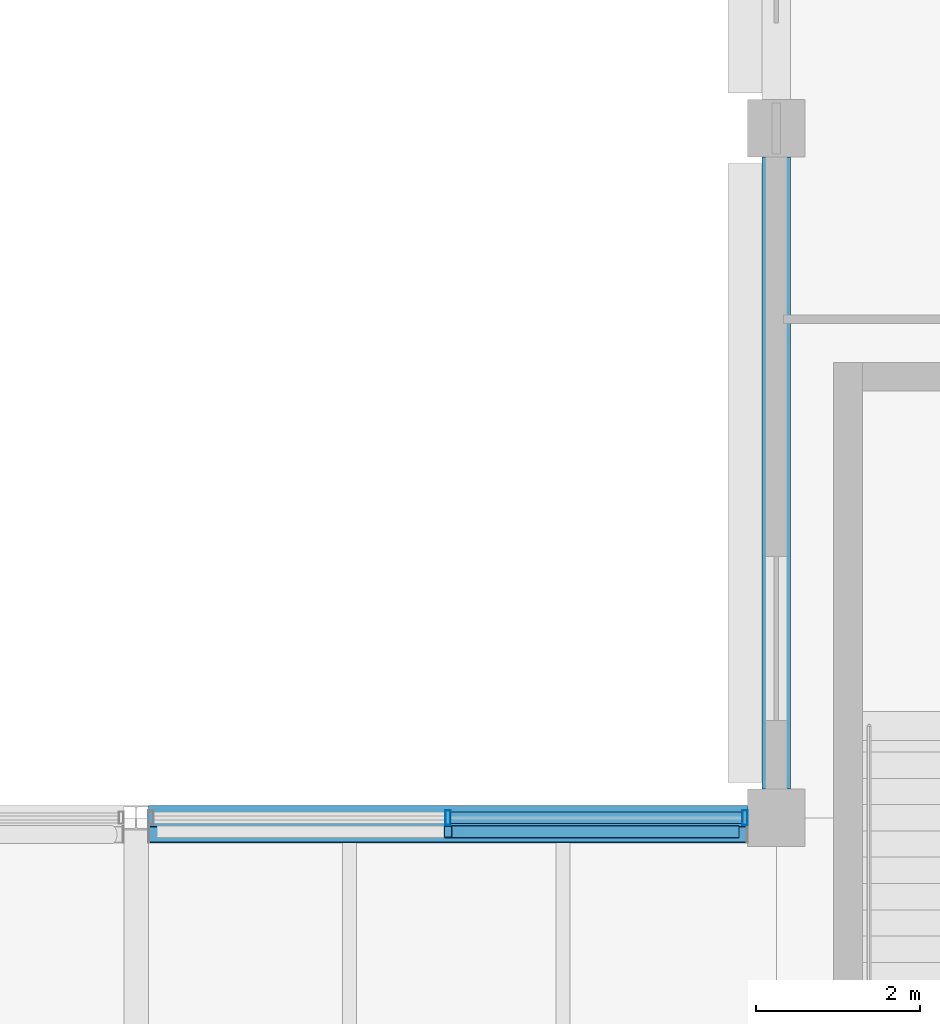
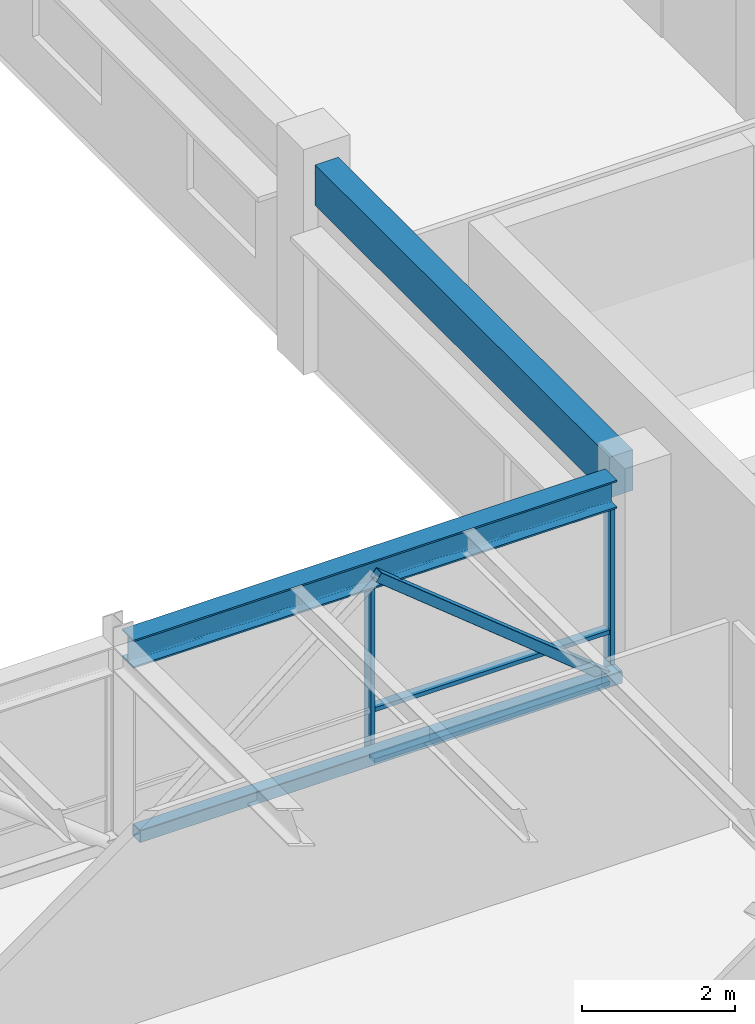
# One storey, part 26 of 49: 7 members, 2 beams, 1 element without a shape of its own.
"""IFC4 building model written with IfcOpenShell, lengths in metres."""

from ifc_helpers import new_model, si_unit, direction, frame, origin, origin_2d, place, context, subcontext, project, spatial, rectangle, hollow_rectangle, i_section, extrude, material, material_profile, profile_set, type_object, element, aggregate, save


model = new_model("IFC4")

# Units and contexts
model_context = context("Model", 3, precision=1e-05, world=origin(), true_north=direction((0.0, 1.0)))
body_context = subcontext(model_context, "Body", "Model", "MODEL_VIEW")
ifc_project = project(units=[si_unit("LENGTHUNIT", "METRE"), si_unit("AREAUNIT", "SQUARE_METRE"), si_unit("VOLUMEUNIT", "CUBIC_METRE"), si_unit("PLANEANGLEUNIT", "RADIAN"), si_unit("MASSUNIT", "GRAM", prefix="KILO"), si_unit("THERMODYNAMICTEMPERATUREUNIT", "KELVIN"), si_unit("POWERUNIT", "WATT")], contexts=[model_context])

# Site, building, storey
site_placement = place(None, origin())
site = spatial("IfcSite", under=ifc_project, at=site_placement, CompositionType="ELEMENT")
building_placement = place(site_placement, origin())
building = spatial("IfcBuilding", under=site, at=building_placement, Name="Srebrne Nadtorze General Hospital", CompositionType="ELEMENT")
storey_placement = place(building_placement, frame((0.0, 0.0, 26.10009765625)))
storey = spatial("IfcBuildingStorey", under=building, at=storey_placement, Name="L06", CompositionType="ELEMENT", Elevation=26.10009765625)

# Beam
ifc_material_1 = material(Name="Steel S355J2", Category="steel")
ifc_material_profile_1 = material_profile(ifc_material_1, i_section(OverallWidth=0.300048828125, OverallDepth=0.449951171875, WebThickness=0.013916015625, FlangeThickness=0.02587890625, FilletRadius=0.027099609375, at=origin_2d()), Name="HEB-450")
ifc_profile_set_1 = profile_set([ifc_material_profile_1], Name="Steel S355J2")
beam_type_1 = type_object("IfcBeamType", Name="Courtyard bridge girder HEB 450", PredefinedType="BEAM", material=ifc_profile_set_1)
beam_1_placement = place(storey_placement, frame((93.75, 58.800048828125, 3.074951171875), z_axis=(1.0, 0.0, 0.0), x_axis=(0.0, 1.0, 0.0)))
element("IfcBeam", 1, at=beam_1_placement, inside=storey, type_object=beam_type_1, Name="Beam BM-L06-X-1171", PredefinedType="BEAM", context=body_context, shape_type="SweptSolid", body=[
    extrude(i_section(OverallWidth=0.300048828125, OverallDepth=0.449951171875, WebThickness=0.013916015625, FlangeThickness=0.02587890625, FilletRadius=0.027099609375, at=origin_2d()), origin(), (0.0, 0.0, 1.0), 7.300048828125),
])

# Curtain wall, members
ifc_material_2 = material(Name="Anodised Aluminium", Category="aluminium")
curtain_wall_type = type_object("IfcCurtainWallType", Name="Bridge curtain wall 7300x2850", PredefinedType="NOTDEFINED", material=ifc_material_2)
curtain_wall_placement = place(storey_placement, origin())
curtain_wall = element("IfcCurtainWall", 2, at=curtain_wall_placement, inside=storey, type_object=curtain_wall_type, Name="Curtain wall CW-149", PredefinedType="NOTDEFINED")
ifc_material_3 = material(Name="Anodised Aluminium", Category="aluminium")
ifc_material_profile_2 = material_profile(ifc_material_3, hollow_rectangle(XDim=0.06494140625, YDim=0.179931640625, WallThickness=0.00390625, at=origin_2d()), Name="AL-MUL-65x180")
ifc_profile_set_2 = profile_set([ifc_material_profile_2], Name="Anodised Aluminium")
member_type_1 = type_object("IfcMemberType", Name="Curtain mullion 65x180", PredefinedType="MULLION", material=ifc_profile_set_2)
member_1_placement = place(storey_placement, frame((97.39990234375, 58.800048828125, 0.0), z_axis=(0.0, 0.0, 1.0), x_axis=(1.0, 0.0, 0.0)))
member_1 = element("IfcMember", 3, at=member_1_placement, type_object=member_type_1, Name="CW-149 mullion 2", PredefinedType="MULLION", context=body_context, shape_type="SweptSolid", body=[
    extrude(hollow_rectangle(XDim=0.06494140625, YDim=0.179931640625, WallThickness=0.00390625, at=origin_2d()), origin(), (0.0, 0.0, 1.0), 2.849853515625),
])
member_2_placement = place(storey_placement, frame((101.017578125, 58.800048828125, 0.0), z_axis=(0.0, 0.0, 1.0), x_axis=(1.0, 0.0, 0.0)))
member_2 = element("IfcMember", 4, at=member_2_placement, type_object=member_type_1, Name="CW-149 mullion 3", PredefinedType="MULLION", context=body_context, shape_type="SweptSolid", body=[
    extrude(hollow_rectangle(XDim=0.06494140625, YDim=0.179931640625, WallThickness=0.00390625, at=origin_2d()), origin(), (0.0, 0.0, 1.0), 2.849853515625),
])
ifc_material_4 = material(Name="Anodised Aluminium", Category="aluminium")
ifc_material_profile_3 = material_profile(ifc_material_4, hollow_rectangle(XDim=0.06494140625, YDim=0.139892578125, WallThickness=0.00390625, at=origin_2d()), Name="AL-TRN-65x140")
ifc_profile_set_3 = profile_set([ifc_material_profile_3], Name="Anodised Aluminium")
member_type_2 = type_object("IfcMemberType", Name="Curtain transom 65x140", PredefinedType="USERDEFINED", material=ifc_profile_set_3)
member_3_placement = place(storey_placement, frame((97.4326171875, 58.800048828125, 0.032470703125), z_axis=(1.0, 0.0, 0.0), x_axis=(0.0, 0.0, 1.0)))
member_3 = element("IfcMember", 5, at=member_3_placement, type_object=member_type_2, Name="CW-149 transom 2.1", ObjectType="TRANSOM", PredefinedType="USERDEFINED", context=body_context, shape_type="SweptSolid", body=[
    extrude(hollow_rectangle(XDim=0.06494140625, YDim=0.139892578125, WallThickness=0.00390625, at=origin_2d()), origin(), (0.0, 0.0, 1.0), 3.552490234375),
])
member_4_placement = place(storey_placement, frame((97.4326171875, 58.800048828125, 0.849853515625), z_axis=(1.0, 0.0, 0.0), x_axis=(0.0, 0.0, 1.0)))
member_4 = element("IfcMember", 6, at=member_4_placement, type_object=member_type_2, Name="CW-149 transom 2.2", ObjectType="TRANSOM", PredefinedType="USERDEFINED", context=body_context, shape_type="SweptSolid", body=[
    extrude(hollow_rectangle(XDim=0.06494140625, YDim=0.139892578125, WallThickness=0.00390625, at=origin_2d()), origin(), (0.0, 0.0, 1.0), 3.552490234375),
])
member_5_placement = place(storey_placement, frame((97.4326171875, 58.800048828125, 2.8173828125), z_axis=(1.0, 0.0, 0.0), x_axis=(0.0, 0.0, 1.0)))
member_5 = element("IfcMember", 7, at=member_5_placement, type_object=member_type_2, Name="CW-149 transom 2.3", ObjectType="TRANSOM", PredefinedType="USERDEFINED", context=body_context, shape_type="SweptSolid", body=[
    extrude(hollow_rectangle(XDim=0.06494140625, YDim=0.139892578125, WallThickness=0.00390625, at=origin_2d()), origin(), (0.0, 0.0, 1.0), 3.552490234375),
])
aggregate(curtain_wall, [member_1, member_2, member_3, member_4, member_5])

# Beam
ifc_material_5 = material(Name="Concrete C35/45", Category="concrete")
ifc_material_profile_4 = material_profile(ifc_material_5, rectangle(XDim=0.35009765625, YDim=0.64990234375, at=origin_2d()), Name="RC-BM-350x650")
ifc_profile_set_4 = profile_set([ifc_material_profile_4], Name="Concrete C35/45")
beam_type_2 = type_object("IfcBeamType", Name="Edge beam RC 350x650", PredefinedType="BEAM", material=ifc_profile_set_4)
beam_2_placement = place(storey_placement, frame((101.39990234375, 59.14990234375, 2.974853515625), z_axis=(0.0, 1.0, 0.0), x_axis=(-1.0, 0.0, 0.0)))
element("IfcBeam", 8, at=beam_2_placement, inside=storey, type_object=beam_type_2, Name="Beam BM-L06-Y-1224", PredefinedType="BEAM", context=body_context, shape_type="SweptSolid", body=[
    extrude(rectangle(XDim=0.35009765625, YDim=0.64990234375, at=origin_2d()), origin(), (0.0, 0.0, 1.0), 7.7001953125),
])

# Members
ifc_material_6 = material(Name="Steel S355J2", Category="steel")
ifc_material_profile_5 = material_profile(ifc_material_6, hollow_rectangle(XDim=0.199951171875, YDim=0.199951171875, WallThickness=0.010009765625, InnerFilletRadius=0.010009765625, OuterFilletRadius=0.014892578125, at=origin_2d()), Name="SHS-200x200x10")
ifc_profile_set_5 = profile_set([ifc_material_profile_5], Name="Steel S355J2")
member_type_3 = type_object("IfcMemberType", Name="Truss chord SHS 200x200x10", PredefinedType="CHORD", material=ifc_profile_set_5)
member_6_placement = place(storey_placement, frame((93.761962890625, 58.594970703125, 0.25), z_axis=(1.0, 0.0, 0.0), x_axis=(0.0, 1.0, 0.0)))
element("IfcMember", 9, at=member_6_placement, inside=storey, type_object=member_type_3, Name="Clinical courtyard bridge truss chord 24", PredefinedType="CHORD", context=body_context, shape_type="SweptSolid", body=[
    extrude(hollow_rectangle(XDim=0.199951171875, YDim=0.199951171875, WallThickness=0.010009765625, InnerFilletRadius=0.010009765625, OuterFilletRadius=0.014892578125, at=origin_2d()), origin(), (0.0, 0.0, 1.0), 7.276123046875),
])
ifc_material_7 = material(Name="Steel S355J2", Category="steel")
ifc_material_profile_6 = material_profile(ifc_material_7, hollow_rectangle(XDim=0.14990234375, YDim=0.14990234375, WallThickness=0.00634765625, InnerFilletRadius=0.006103515625, OuterFilletRadius=0.009033203125, at=origin_2d()), Name="SHS-150x150x6.3")
ifc_profile_set_6 = profile_set([ifc_material_profile_6], Name="Steel S355J2")
member_type_4 = type_object("IfcMemberType", Name="Wind brace SHS 150x150x6.3", PredefinedType="BRACE", material=ifc_profile_set_6)
member_7_placement = place(storey_placement, frame((100.89990234375, 58.6298828125, 0.25), z_axis=(-0.777624948613, 0.0, 0.628728430481), x_axis=(0.0, -1.0, 0.0)))
element("IfcMember", 10, at=member_7_placement, inside=storey, type_object=member_type_4, Name="Clinical courtyard bridge brace 48", PredefinedType="BRACE", context=body_context, shape_type="SweptSolid", body=[
    extrude(hollow_rectangle(XDim=0.14990234375, YDim=0.14990234375, WallThickness=0.00634765625, InnerFilletRadius=0.006103515625, OuterFilletRadius=0.009033203125, at=origin_2d()), origin(), (0.0, 0.0, 1.0), 4.5009765625),
])

save(model, "model.ifc")
